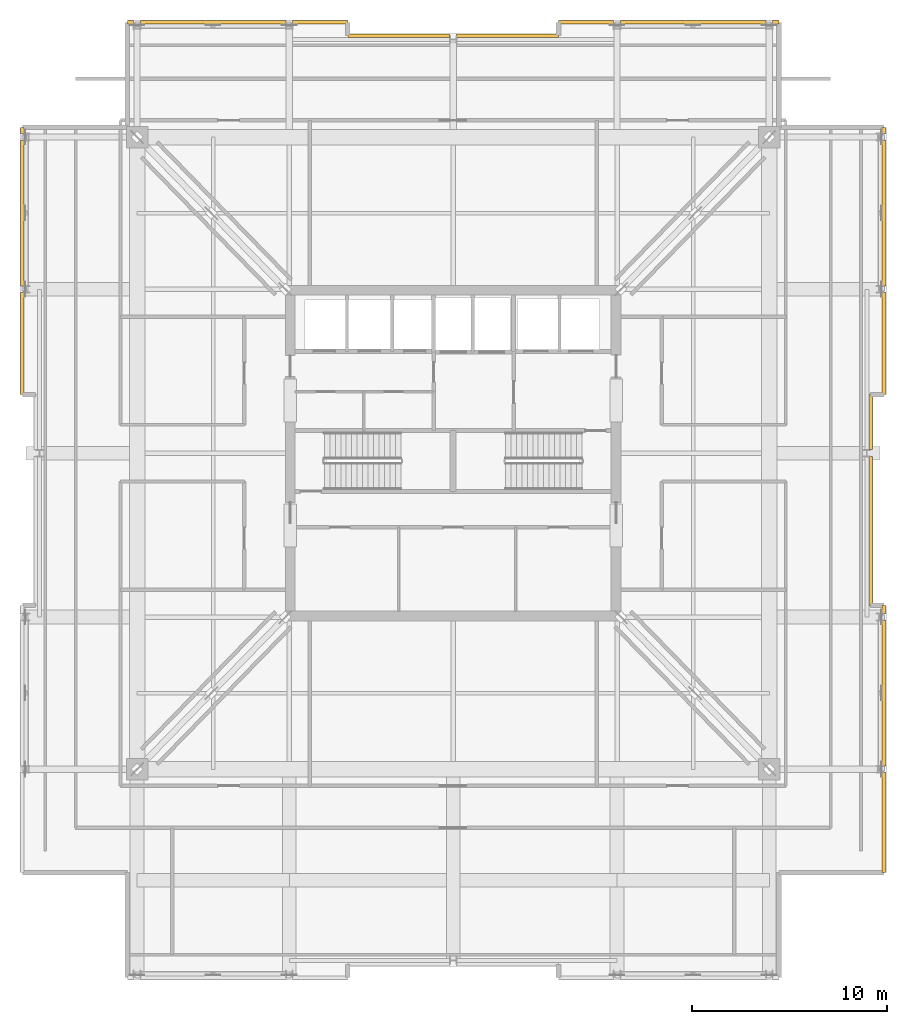
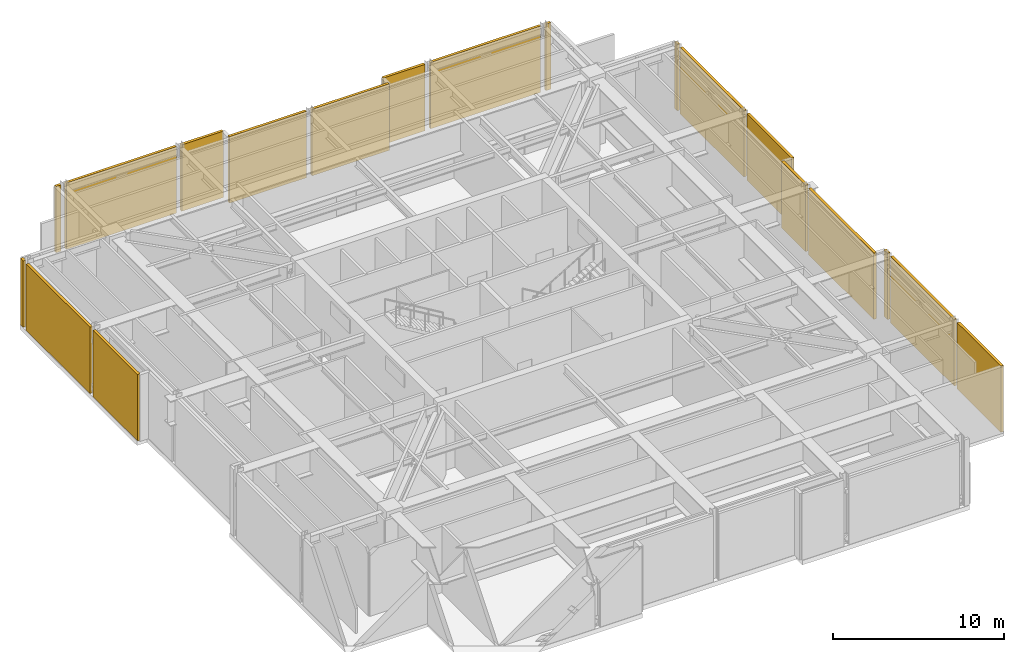
# One storey, part 10 of 10: 19 shading devices.
"""IFC4 building model written with IfcOpenShell, lengths in metres."""

from ifc_helpers import new_model, si_unit, direction, frame, origin, origin_2d, place, context, subcontext, project, spatial, rectangle, extrude, material, layer, layer_set, type_object, element, save


model = new_model("IFC4")

# Units and contexts
model_context = context("Model", 3, precision=1e-05, world=origin(), true_north=direction((0.0, 1.0)))
body_context = subcontext(model_context, "Body", "Model", "MODEL_VIEW")
ifc_project = project(units=[si_unit("LENGTHUNIT", "METRE"), si_unit("AREAUNIT", "SQUARE_METRE"), si_unit("VOLUMEUNIT", "CUBIC_METRE"), si_unit("PLANEANGLEUNIT", "RADIAN"), si_unit("MASSUNIT", "GRAM", prefix="KILO")], contexts=[model_context])

# Site, building, storey
site_placement = place(None, origin())
site = spatial("IfcSite", under=ifc_project, at=site_placement, CompositionType="ELEMENT")
building_placement = place(site_placement, origin())
building = spatial("IfcBuilding", under=site, at=building_placement, Name="Drelvath Grand Hotel", CompositionType="ELEMENT")
storey_placement = place(building_placement, frame((0.0, 0.0, 260.0)))
storey = spatial("IfcBuildingStorey", under=building, at=storey_placement, Name="L68", CompositionType="ELEMENT", Elevation=260.0)

# Shading devices
ifc_material = material(Name="Pale-Metal Anodised Aluminium Louvre", Category="aluminium")
ifc_layer = layer(ifc_material, 0.179931640625)
ifc_layer_set = layer_set([ifc_layer], Name="Pale-Metal Anodised Aluminium Louvre")
shading_device_type = type_object("IfcShadingDeviceType", Name="Mechanical Acoustic Weather Louvre Pale-Metal 180", PredefinedType="USERDEFINED", material=ifc_layer_set)
shading_device_1_placement = place(storey_placement, frame((-22.080078125, 32.61083984375, 0.0), z_axis=(0.0, 0.0, 1.0), x_axis=(0.0, 1.0, 0.0)))
element("IfcShadingDevice", 1, at=shading_device_1_placement, inside=storey, type_object=shading_device_type, Name="L68 Mechanical Plant Acoustic Louvre WN-1", ObjectType="LOUVRE", PredefinedType="USERDEFINED", context=body_context, shape_type="SweptSolid", body=[
    extrude(rectangle(XDim=5.2216796875, YDim=0.179931640625, at=origin_2d()), origin(), (0.0, 0.0, 1.0), 4.739990234375),
])
shading_device_2_placement = place(storey_placement, frame((-22.080078125, 39.300048828125, 0.0), z_axis=(0.0, 0.0, 1.0), x_axis=(0.0, 1.0, 0.0)))
element("IfcShadingDevice", 2, at=shading_device_2_placement, inside=storey, type_object=shading_device_type, Name="L68 Mechanical Plant Acoustic Louvre WN-2", ObjectType="LOUVRE", PredefinedType="USERDEFINED", context=body_context, shape_type="SweptSolid", body=[
    extrude(rectangle(XDim=7.443603515625, YDim=0.179931640625, at=origin_2d()), origin(), (0.0, 0.0, 1.0), 4.739990234375),
])
shading_device_3_placement = place(storey_placement, frame((-22.080078125, 43.5390625, 0.0), z_axis=(0.0, 0.0, 1.0), x_axis=(0.0, 1.0, 0.0)))
element("IfcShadingDevice", 3, at=shading_device_3_placement, inside=storey, type_object=shading_device_type, Name="L68 Mechanical Plant Acoustic Louvre WN-3", ObjectType="LOUVRE", PredefinedType="USERDEFINED", context=body_context, shape_type="SweptSolid", body=[
    extrude(rectangle(XDim=0.32177734375, YDim=0.179931640625, at=origin_2d()), origin(), (0.0, 0.0, 1.0), 4.739990234375),
])
shading_device_4_placement = place(storey_placement, frame((22.080078125, 32.61083984375, 0.0), z_axis=(0.0, 0.0, 1.0), x_axis=(0.0, 1.0, 0.0)))
element("IfcShadingDevice", 4, at=shading_device_4_placement, inside=storey, type_object=shading_device_type, Name="L68 Mechanical Plant Acoustic Louvre EN-1", ObjectType="LOUVRE", PredefinedType="USERDEFINED", context=body_context, shape_type="SweptSolid", body=[
    extrude(rectangle(XDim=5.2216796875, YDim=0.179931640625, at=origin_2d()), origin(), (0.0, 0.0, 1.0), 4.739990234375),
])
shading_device_5_placement = place(storey_placement, frame((22.080078125, 39.300048828125, 0.0), z_axis=(0.0, 0.0, 1.0), x_axis=(0.0, 1.0, 0.0)))
element("IfcShadingDevice", 5, at=shading_device_5_placement, inside=storey, type_object=shading_device_type, Name="L68 Mechanical Plant Acoustic Louvre EN-2", ObjectType="LOUVRE", PredefinedType="USERDEFINED", context=body_context, shape_type="SweptSolid", body=[
    extrude(rectangle(XDim=7.443603515625, YDim=0.179931640625, at=origin_2d()), origin(), (0.0, 0.0, 1.0), 4.739990234375),
])
shading_device_6_placement = place(storey_placement, frame((22.080078125, 43.5390625, 0.0), z_axis=(0.0, 0.0, 1.0), x_axis=(0.0, 1.0, 0.0)))
element("IfcShadingDevice", 6, at=shading_device_6_placement, inside=storey, type_object=shading_device_type, Name="L68 Mechanical Plant Acoustic Louvre EN-3", ObjectType="LOUVRE", PredefinedType="USERDEFINED", context=body_context, shape_type="SweptSolid", body=[
    extrude(rectangle(XDim=0.32177734375, YDim=0.179931640625, at=origin_2d()), origin(), (0.0, 0.0, 1.0), 4.739990234375),
])
shading_device_7_placement = place(storey_placement, frame((21.39990234375, 23.010986328125, 0.0), z_axis=(0.0, 0.0, 1.0), x_axis=(0.0, 1.0, 0.0)))
element("IfcShadingDevice", 7, at=shading_device_7_placement, inside=storey, type_object=shading_device_type, Name="L68 Mechanical Plant Acoustic Louvre EM-1", ObjectType="LOUVRE", PredefinedType="USERDEFINED", context=body_context, shape_type="SweptSolid", body=[
    extrude(rectangle(XDim=7.621826171875, YDim=0.179931640625, at=origin_2d()), origin(), (0.0, 0.0, 1.0), 4.739990234375),
])
shading_device_8_placement = place(storey_placement, frame((21.39990234375, 28.589111328125, 0.0), z_axis=(0.0, 0.0, 1.0), x_axis=(0.0, 1.0, 0.0)))
element("IfcShadingDevice", 8, at=shading_device_8_placement, inside=storey, type_object=shading_device_type, Name="L68 Mechanical Plant Acoustic Louvre EM-2", ObjectType="LOUVRE", PredefinedType="USERDEFINED", context=body_context, shape_type="SweptSolid", body=[
    extrude(rectangle(XDim=2.82177734375, YDim=0.179931640625, at=origin_2d()), origin(), (0.0, 0.0, 1.0), 4.739990234375),
])
shading_device_9_placement = place(storey_placement, frame((22.080078125, 8.060791015625, 0.0), z_axis=(0.0, 0.0, 1.0), x_axis=(0.0, 1.0, 0.0)))
element("IfcShadingDevice", 9, at=shading_device_9_placement, inside=storey, type_object=shading_device_type, Name="L68 Mechanical Plant Acoustic Louvre ES-1", ObjectType="LOUVRE", PredefinedType="USERDEFINED", context=body_context, shape_type="SweptSolid", body=[
    extrude(rectangle(XDim=5.121826171875, YDim=0.179931640625, at=origin_2d()), origin(), (0.0, 0.0, 1.0), 4.739990234375),
])
shading_device_10_placement = place(storey_placement, frame((22.080078125, 14.699951171875, 0.0), z_axis=(0.0, 0.0, 1.0), x_axis=(0.0, 1.0, 0.0)))
element("IfcShadingDevice", 10, at=shading_device_10_placement, inside=storey, type_object=shading_device_type, Name="L68 Mechanical Plant Acoustic Louvre ES-2", ObjectType="LOUVRE", PredefinedType="USERDEFINED", context=body_context, shape_type="SweptSolid", body=[
    extrude(rectangle(XDim=7.443603515625, YDim=0.179931640625, at=origin_2d()), origin(), (0.0, 0.0, 1.0), 4.739990234375),
])
shading_device_11_placement = place(storey_placement, frame((22.080078125, 18.989013671875, 0.0), z_axis=(0.0, 0.0, 1.0), x_axis=(0.0, 1.0, 0.0)))
element("IfcShadingDevice", 11, at=shading_device_11_placement, inside=storey, type_object=shading_device_type, Name="L68 Mechanical Plant Acoustic Louvre ES-3", ObjectType="LOUVRE", PredefinedType="USERDEFINED", context=body_context, shape_type="SweptSolid", body=[
    extrude(rectangle(XDim=0.421875, YDim=0.179931640625, at=origin_2d()), origin(), (0.0, 0.0, 1.0), 4.739990234375),
])
shading_device_12_placement = place(storey_placement, frame((-16.5390625, 49.080078125, 0.0), z_axis=(0.0, 0.0, 1.0), x_axis=(1.0, 0.0, 0.0)))
element("IfcShadingDevice", 12, at=shading_device_12_placement, inside=storey, type_object=shading_device_type, Name="L68 Mechanical Plant Acoustic Louvre NW-1", ObjectType="LOUVRE", PredefinedType="USERDEFINED", context=body_context, shape_type="SweptSolid", body=[
    extrude(rectangle(XDim=0.32177734375, YDim=0.179931640625, at=origin_2d()), origin(), (0.0, 0.0, 1.0), 4.739990234375),
])
shading_device_13_placement = place(storey_placement, frame((-12.300048828125, 49.080078125, 0.0), z_axis=(0.0, 0.0, 1.0), x_axis=(1.0, 0.0, 0.0)))
element("IfcShadingDevice", 13, at=shading_device_13_placement, inside=storey, type_object=shading_device_type, Name="L68 Mechanical Plant Acoustic Louvre NW-2", ObjectType="LOUVRE", PredefinedType="USERDEFINED", context=body_context, shape_type="SweptSolid", body=[
    extrude(rectangle(XDim=7.443603515625, YDim=0.179931640625, at=origin_2d()), origin(), (0.0, 0.0, 1.0), 4.739990234375),
])
shading_device_14_placement = place(storey_placement, frame((-6.810791015625, 49.080078125, 0.0), z_axis=(0.0, 0.0, 1.0), x_axis=(1.0, 0.0, 0.0)))
element("IfcShadingDevice", 14, at=shading_device_14_placement, inside=storey, type_object=shading_device_type, Name="L68 Mechanical Plant Acoustic Louvre NW-3", ObjectType="LOUVRE", PredefinedType="USERDEFINED", context=body_context, shape_type="SweptSolid", body=[
    extrude(rectangle(XDim=2.82177734375, YDim=0.179931640625, at=origin_2d()), origin(), (0.0, 0.0, 1.0), 4.739990234375),
])
for number, where, z_axis, x_axis, name in (
    (15, (-2.7890625, 48.39990234375, 0.0), (0.0, 0.0, 1.0), (1.0, 0.0, 0.0), "L68 Mechanical Plant Acoustic Louvre NM-1"),
    (16, (2.7890625, 48.39990234375, 0.0), (0.0, 0.0, 1.0), (1.0, 0.0, 0.0), "L68 Mechanical Plant Acoustic Louvre NM-2"),
):
    element("IfcShadingDevice", number, at=place(storey_placement, frame(where, z_axis=z_axis, x_axis=x_axis)), inside=storey, type_object=shading_device_type, Name=name, ObjectType="LOUVRE", PredefinedType="USERDEFINED", context=body_context, shape_type="SweptSolid", body=[
        extrude(rectangle(XDim=5.2216796875, YDim=0.179931640625, at=origin_2d()), origin(), (0.0, 0.0, 1.0), 4.739990234375),
    ])
shading_device_15_placement = place(storey_placement, frame((6.810791015625, 49.080078125, 0.0), z_axis=(0.0, 0.0, 1.0), x_axis=(1.0, 0.0, 0.0)))
element("IfcShadingDevice", 17, at=shading_device_15_placement, inside=storey, type_object=shading_device_type, Name="L68 Mechanical Plant Acoustic Louvre NE-1", ObjectType="LOUVRE", PredefinedType="USERDEFINED", context=body_context, shape_type="SweptSolid", body=[
    extrude(rectangle(XDim=2.82177734375, YDim=0.179931640625, at=origin_2d()), origin(), (0.0, 0.0, 1.0), 4.739990234375),
])
shading_device_16_placement = place(storey_placement, frame((12.300048828125, 49.080078125, 0.0), z_axis=(0.0, 0.0, 1.0), x_axis=(1.0, 0.0, 0.0)))
element("IfcShadingDevice", 18, at=shading_device_16_placement, inside=storey, type_object=shading_device_type, Name="L68 Mechanical Plant Acoustic Louvre NE-2", ObjectType="LOUVRE", PredefinedType="USERDEFINED", context=body_context, shape_type="SweptSolid", body=[
    extrude(rectangle(XDim=7.443603515625, YDim=0.179931640625, at=origin_2d()), origin(), (0.0, 0.0, 1.0), 4.739990234375),
])
shading_device_17_placement = place(storey_placement, frame((16.5390625, 49.080078125, 0.0), z_axis=(0.0, 0.0, 1.0), x_axis=(1.0, 0.0, 0.0)))
element("IfcShadingDevice", 19, at=shading_device_17_placement, inside=storey, type_object=shading_device_type, Name="L68 Mechanical Plant Acoustic Louvre NE-3", ObjectType="LOUVRE", PredefinedType="USERDEFINED", context=body_context, shape_type="SweptSolid", body=[
    extrude(rectangle(XDim=0.32177734375, YDim=0.179931640625, at=origin_2d()), origin(), (0.0, 0.0, 1.0), 4.739990234375),
])

save(model, "model.ifc")
